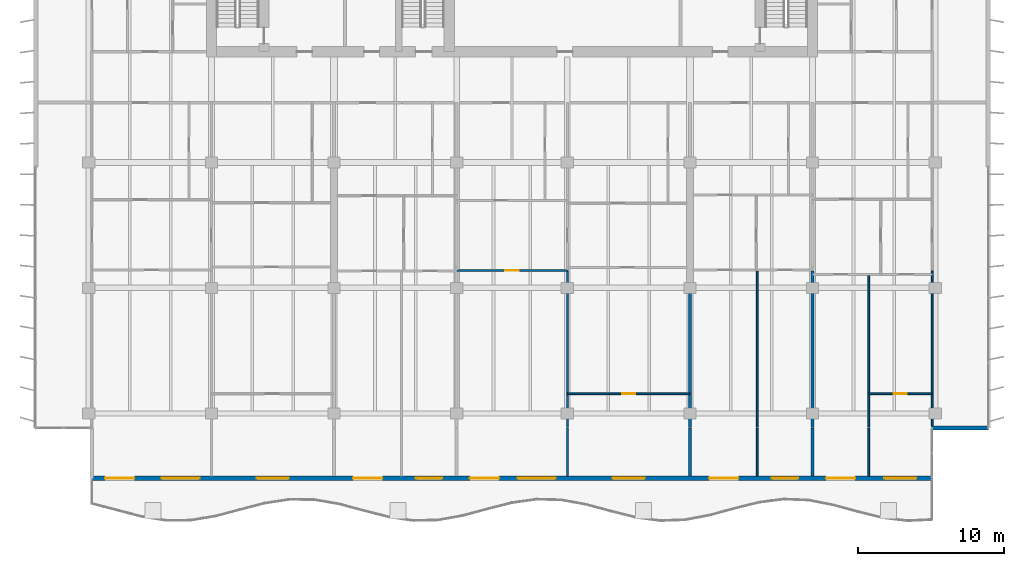
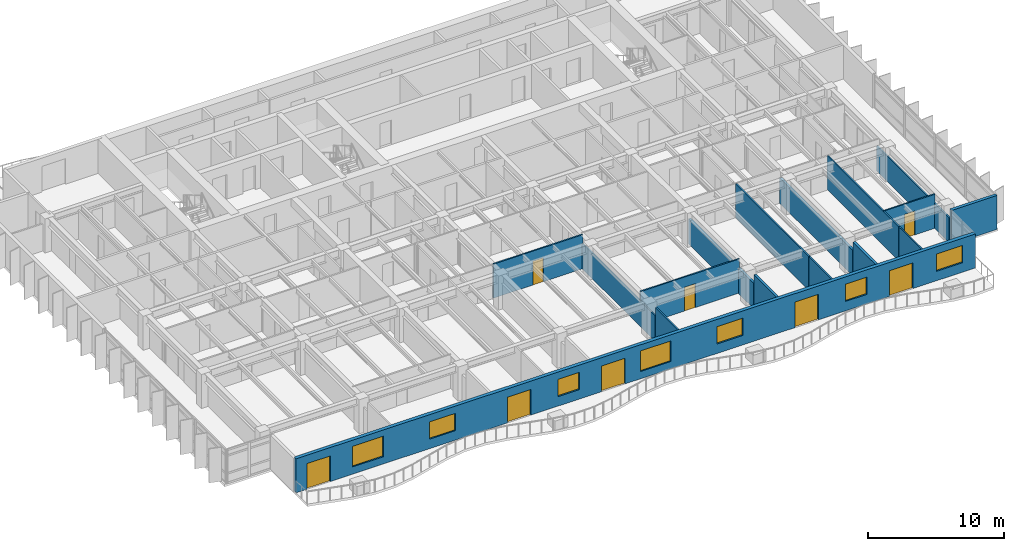
# One storey, part 10 of 19: 16 walls, 8 doors, 7 windows, 15 openings.
"""IFC4 building model written with IfcOpenShell, lengths in metres."""

import ifcopenshell
import ifcopenshell.guid

model = None  # the IFC model being written
_history = None  # IfcOwnerHistory: only IFC2X3 demands one
_inside = {}  # id of a spatial element -> (the spatial element, [elements in it])
_under = {}  # id of a project, library or spatial element -> (it, [spatial elements below it])
_declared = {}  # id of a project -> (the project, [libraries it declares])
_typed = {}  # id of a type object -> (the type object, [elements of that type])
_made_of = {}  # id of a material, layer set ... -> (it, [elements and type objects made of it])


def new_model(schema):
    """Start an empty IFC model of exactly this schema.

    Asked for "IFC4X3", IfcOpenShell would pick the latest addendum, in which some entities
    have other attributes; the version numbers below select the first issue.
    IFC2X3 requires an IfcOwnerHistory on every rooted entity: one is made here for all.
    """
    global model, _history
    if schema == "IFC4X3":
        model = ifcopenshell.file(schema_version=(4, 3, 0, 0))
    else:
        model = ifcopenshell.file(schema=schema)
    _inside.clear()
    _under.clear()
    _declared.clear()
    _typed.clear()
    _made_of.clear()
    _history = None
    if model.schema == "IFC2X3":
        org = make("IfcOrganization", Name="unknown")
        user = make(
            "IfcPersonAndOrganization",
            ThePerson=make("IfcPerson", FamilyName="unknown"),
            TheOrganization=org,
        )
        app = make(
            "IfcApplication",
            ApplicationDeveloper=org,
            Version="unknown",
            ApplicationFullName="unknown",
            ApplicationIdentifier="unknown",
        )
        _history = make(
            "IfcOwnerHistory",
            OwningUser=user,
            OwningApplication=app,
            ChangeAction="ADDED",
            CreationDate=0,
        )
    return model


def make(cls, **values):
    """One entity of the class cls with the attributes given. An attribute that is None is left unset."""
    return model.create_entity(
        cls, **{name: value for name, value in values.items() if value is not None}
    )


def rooted(cls, **values):
    """An entity with a GlobalId (a new one), such as an element, a storey or a relation."""
    return make(cls, GlobalId=ifcopenshell.guid.new(), OwnerHistory=_history, **values)


def si_unit(unit_type, name, prefix=None):
    """IfcSIUnit, for example si_unit("LENGTHUNIT", "METRE", prefix="MILLI")."""
    return make("IfcSIUnit", UnitType=unit_type, Prefix=prefix, Name=name)


def assignment(units):
    """IfcUnitAssignment: the units of a project."""
    return None if units is None else make("IfcUnitAssignment", Units=units)


def point(xyz):
    """IfcCartesianPoint."""
    return None if xyz is None else make("IfcCartesianPoint", Coordinates=xyz)


def direction(xyz):
    """IfcDirection."""
    return None if xyz is None else make("IfcDirection", DirectionRatios=xyz)


def frame(location, z_axis=None, x_axis=None):
    """IfcAxis2Placement3D, a coordinate frame: its origin and axes. An axis left out is left unset."""
    return make(
        "IfcAxis2Placement3D",
        Location=point(location),
        Axis=direction(z_axis),
        RefDirection=direction(x_axis),
    )


def frame_2d(location, x_axis=None):
    """IfcAxis2Placement2D, a coordinate frame in the plane: its origin and x axis."""
    return make(
        "IfcAxis2Placement2D", Location=point(location), RefDirection=direction(x_axis)
    )


def origin():
    """The frame at (0, 0, 0) with its axes left unset."""
    return frame((0.0, 0.0, 0.0))


def place(relative_to, where):
    """IfcLocalPlacement: puts the frame where relative to a parent placement (None: the world)."""
    return make(
        "IfcLocalPlacement", PlacementRelTo=relative_to, RelativePlacement=where
    )


def context(
    kind, dimensions, precision=None, world=None, true_north=None, identifier=None
):
    """IfcGeometricRepresentationContext, for example the 3D "Model" context."""
    return make(
        "IfcGeometricRepresentationContext",
        ContextIdentifier=identifier,
        ContextType=kind,
        CoordinateSpaceDimension=dimensions,
        Precision=precision,
        WorldCoordinateSystem=world,
        TrueNorth=true_north,
    )


def subcontext(parent, identifier, kind, view, scale=None):
    """IfcGeometricRepresentationSubContext, for example "Body" below "Model"."""
    return make(
        "IfcGeometricRepresentationSubContext",
        ContextIdentifier=identifier,
        ContextType=kind,
        ParentContext=parent,
        TargetScale=scale,
        TargetView=view,
    )


def project(units=None, contexts=None):
    """IfcProject with its units and contexts."""
    return rooted(
        "IfcProject",
        Name="project",
        RepresentationContexts=contexts,
        UnitsInContext=assignment(units),
    )


def spatial(cls, under=None, at=None, **own):
    """A site, building, storey or space (cls), placed at a placement, below another one or the project."""
    s = rooted(cls, ObjectPlacement=at, **own)
    if under is not None:
        _under.setdefault(under.id(), (under, []))[1].append(s)
    return s


def profile(cls, at=None, kind="AREA", **sizes):
    """A parametric profile (cls). Its sizes go by their IFC names, for example OverallWidth=200.0."""
    return make(cls, ProfileType=kind, Position=at, **sizes)


def rectangle(**sizes):
    """IfcRectangleProfileDef."""
    return profile("IfcRectangleProfileDef", **sizes)


def extrude(swept, where, along, depth):
    """IfcExtrudedAreaSolid: the profile swept, set in the frame where, extruded along a direction by depth."""
    return make(
        "IfcExtrudedAreaSolid",
        SweptArea=swept,
        Position=where,
        ExtrudedDirection=direction(along),
        Depth=depth,
    )


def shape(context_of_items, identifier, shape_type, items):
    """IfcShapeRepresentation: the items that make up one representation, for example the "Body"."""
    return make(
        "IfcShapeRepresentation",
        ContextOfItems=context_of_items,
        RepresentationIdentifier=identifier,
        RepresentationType=shape_type,
        Items=items,
    )


def material(Name=None, Category=None):
    """IfcMaterial."""
    return make("IfcMaterial", Name=Name, Category=Category)


def layer(
    of_material, thickness, ventilated=None, Name=None, Category=None, Priority=None
):
    """IfcMaterialLayer: one layer of a wall or slab, of a material (None: an air gap)."""
    return make(
        "IfcMaterialLayer",
        Material=of_material,
        LayerThickness=thickness,
        IsVentilated=ventilated,
        Name=Name,
        Category=Category,
        Priority=Priority,
    )


def layer_set(layers, Name=None):
    """IfcMaterialLayerSet."""
    return make("IfcMaterialLayerSet", MaterialLayers=layers, LayerSetName=Name)


def made_of(thing, what):
    """Note that an element or type object is made of a material, layer set ...; save() writes the relation."""
    if what is not None:
        _made_of.setdefault(what.id(), (what, []))[1].append(thing)
    return thing


def type_object(cls, material=None, **own):
    """A type object (cls), such as IfcWallType, which elements share."""
    return made_of(rooted(cls, **own), material)


def element(
    cls,
    number,
    at=None,
    inside=None,
    cuts=None,
    type_object=None,
    material=None,
    context=None,
    identifier="Body",
    shape_type=None,
    held_by="IfcProductDefinitionShape",
    body=None,
    shapes=None,
    **own,
):
    """One element of the class cls, such as IfcWall. Its Tag is "e" and its number.

    at: its placement. inside: the storey or other place that contains it. cuts: it is an
    opening in that element (IfcRelVoidsElement). A single representation is given by context,
    identifier, shape_type and body (its items); several are given by shapes. held_by: the class
    of the entity that holds the representations. save() writes the other relations.
    """
    e = rooted(cls, Tag="e%d" % number, ObjectPlacement=at, **own)
    if body is not None:
        shapes = [shape(context, identifier, shape_type, body)]
    if shapes is not None:
        e.Representation = make(held_by, Representations=shapes)
    if inside is not None:
        _inside.setdefault(inside.id(), (inside, []))[1].append(e)
    if cuts is not None:
        rooted(
            "IfcRelVoidsElement", RelatingBuildingElement=cuts, RelatedOpeningElement=e
        )
    if type_object is not None:
        _typed.setdefault(type_object.id(), (type_object, []))[1].append(e)
    return made_of(e, material)


def fill(opening, filler):
    """IfcRelFillsElement: the door or window that sits in an opening."""
    return rooted(
        "IfcRelFillsElement",
        RelatingOpeningElement=opening,
        RelatedBuildingElement=filler,
    )


def aggregate(whole, parts):
    """IfcRelAggregates: a whole, such as a stair, and the parts it consists of."""
    return rooted("IfcRelAggregates", RelatingObject=whole, RelatedObjects=parts)


def save(model, path):
    """Write the relations noted so far, then the file.

    IfcRelAggregates (storeys below a building ...), IfcRelContainedInSpatialStructure (elements
    in a storey), IfcRelDefinesByType, IfcRelAssociatesMaterial and IfcRelDeclares: one each for
    every whole, place, type object, material and project.
    """
    for whole, parts in _under.values():
        aggregate(whole, parts)
    for where, things in _inside.values():
        rooted(
            "IfcRelContainedInSpatialStructure",
            RelatedElements=things,
            RelatingStructure=where,
        )
    for kind, things in _typed.values():
        rooted("IfcRelDefinesByType", RelatedObjects=things, RelatingType=kind)
    for what, things in _made_of.values():
        rooted("IfcRelAssociatesMaterial", RelatedObjects=things, RelatingMaterial=what)
    for by, libraries in _declared.values():
        rooted("IfcRelDeclares", RelatingContext=by, RelatedDefinitions=libraries)
    model.write(path)


model = new_model("IFC4")

# Units and contexts
model_context = context("Model", 3, precision=1e-05, world=origin(), true_north=direction((0.0, 1.0)))
body_context = subcontext(model_context, "Body", "Model", "MODEL_VIEW")
ifc_project = project(units=[si_unit("LENGTHUNIT", "METRE"), si_unit("AREAUNIT", "SQUARE_METRE"), si_unit("VOLUMEUNIT", "CUBIC_METRE"), si_unit("PLANEANGLEUNIT", "RADIAN"), si_unit("MASSUNIT", "GRAM", prefix="KILO")], contexts=[model_context])

# Site, building, storey
site_placement = place(None, origin())
site = spatial("IfcSite", under=ifc_project, at=site_placement, CompositionType="ELEMENT")
building_placement = place(site_placement, origin())
building = spatial("IfcBuilding", under=site, at=building_placement, Name="Caelmar Bay Residences", CompositionType="ELEMENT")
storey_placement = place(building_placement, frame((0.0, 0.0, 188.39990234375)))
storey = spatial("IfcBuildingStorey", under=building, at=storey_placement, Name="L52", CompositionType="ELEMENT", Elevation=188.39990234375)

# Wall
ifc_material_1 = material(Name="Precast concrete f'c 40 MPa (6,000 psi)", Category="concrete")
ifc_layer_1 = layer(ifc_material_1, 0.25)
ifc_layer_set_1 = layer_set([ifc_layer_1], Name="Precast concrete f'c 40 MPa (6,000 psi)")
wall_type_1 = type_object("IfcWallType", Name="W-EXT-250", PredefinedType="ELEMENTEDWALL", material=ifc_layer_set_1)
wall_1_placement = place(storey_placement, frame((67.699951171875, 11.199951171875, 0.0), z_axis=(0.0, 0.0, 1.0), x_axis=(1.0, 0.0, 0.0)))
element("IfcWall", 1, at=wall_1_placement, inside=storey, type_object=wall_type_1, Name="L52 SE Notch Return Wall", PredefinedType="ELEMENTEDWALL", context=body_context, shape_type="SweptSolid", body=[
    extrude(rectangle(XDim=3.85009765625, YDim=0.25, at=frame_2d((1.925048828125, 0.0))), origin(), (0.0, 0.0, 1.0), 3.050048828125),
])

# Wall, openings, doors, windows
ifc_layer_2 = layer(ifc_material_1, 0.300048828125)
ifc_layer_set_2 = layer_set([ifc_layer_2], Name="Precast concrete f'c 40 MPa (6,000 psi)")
wall_type_2 = type_object("IfcWallType", Name="W-EXT-300", PredefinedType="STANDARD", material=ifc_layer_set_2)
wall_2_placement = place(storey_placement, frame((67.699951171875, 7.75, 0.0), z_axis=(0.0, 0.0, 1.0), x_axis=(-1.0, 0.0, 0.0)))
wall_2 = element("IfcWall", 2, at=wall_2_placement, inside=storey, type_object=wall_type_2, Name="L52 South Bayfront Exterior Wall", PredefinedType="STANDARD", context=body_context, shape_type="SweptSolid", body=[
    extrude(rectangle(XDim=57.599853515625, YDim=0.300048828125, at=frame_2d((28.7998046875, 0.0))), origin(), (0.0, 0.0, 1.0), 3.050048828125),
])
opening_1_placement = place(wall_2_placement, frame((54.68994140625, 0.0, 0.0)))
opening_1 = element("IfcOpeningElement", 3, at=opening_1_placement, cuts=wall_2, Name="Opening L52-BD01", PredefinedType="OPENING", context=body_context, shape_type="SweptSolid", body=[
    extrude(rectangle(XDim=2.0, YDim=2.300048828125, at=frame_2d((1.0, 1.14990234375))), frame((0.0, 0.159912109375, 0.0), z_axis=(0.0, -1.0, 0.0), x_axis=(1.0, 0.0, 0.0)), (0.0, 0.0, 1.0), 0.320068359375),
])
opening_2_placement = place(wall_2_placement, frame((50.2099609375, 0.0, 0.64990234375)))
opening_2 = element("IfcOpeningElement", 4, at=opening_2_placement, cuts=wall_2, Name="Opening WN3", PredefinedType="OPENING", context=body_context, shape_type="SweptSolid", body=[
    extrude(rectangle(XDim=2.60009765625, YDim=1.85009765625, at=frame_2d((1.300048828125, 0.925048828125))), frame((0.0, 0.159912109375, 0.0), z_axis=(0.0, -1.0, 0.0), x_axis=(1.0, 0.0, 0.0)), (0.0, 0.0, 1.0), 0.320068359375),
])
opening_3_placement = place(wall_2_placement, frame((44.10009765625, 0.0, 0.85009765625)))
opening_3 = element("IfcOpeningElement", 5, at=opening_3_placement, cuts=wall_2, Name="Opening WN2", PredefinedType="OPENING", context=body_context, shape_type="SweptSolid", body=[
    extrude(rectangle(XDim=2.199951171875, YDim=1.550048828125, at=frame_2d((1.10009765625, 0.77490234375))), frame((0.0, 0.159912109375, 0.0), z_axis=(0.0, -1.0, 0.0), x_axis=(1.0, 0.0, 0.0)), (0.0, 0.0, 1.0), 0.320068359375),
])
opening_4_placement = place(wall_2_placement, frame((37.68994140625, 0.0, 0.0)))
opening_4 = element("IfcOpeningElement", 6, at=opening_4_placement, cuts=wall_2, Name="Opening L52-BD02", PredefinedType="OPENING", context=body_context, shape_type="SweptSolid", body=[
    extrude(rectangle(XDim=2.0, YDim=2.300048828125, at=frame_2d((1.0, 1.14990234375))), frame((0.0, 0.159912109375, 0.0), z_axis=(0.0, -1.0, 0.0), x_axis=(1.0, 0.0, 0.0)), (0.0, 0.0, 1.0), 0.320068359375),
])
opening_5_placement = place(wall_2_placement, frame((33.590087890625, 0.0, 0.85009765625)))
opening_5 = element("IfcOpeningElement", 7, at=opening_5_placement, cuts=wall_2, Name="Opening WN1", PredefinedType="OPENING", context=body_context, shape_type="SweptSolid", body=[
    extrude(rectangle(XDim=1.800048828125, YDim=1.550048828125, at=frame_2d((0.89990234375, 0.77490234375))), frame((0.0, 0.159912109375, 0.0), z_axis=(0.0, -1.0, 0.0), x_axis=(1.0, 0.0, 0.0)), (0.0, 0.0, 1.0), 0.320068359375),
])
opening_6_placement = place(wall_2_placement, frame((29.68994140625, 0.0, 0.0)))
opening_6 = element("IfcOpeningElement", 8, at=opening_6_placement, cuts=wall_2, Name="Opening L52-BD03", PredefinedType="OPENING", context=body_context, shape_type="SweptSolid", body=[
    extrude(rectangle(XDim=2.0, YDim=2.300048828125, at=frame_2d((1.0, 1.14990234375))), frame((0.0, 0.159912109375, 0.0), z_axis=(0.0, -1.0, 0.0), x_axis=(1.0, 0.0, 0.0)), (0.0, 0.0, 1.0), 0.320068359375),
])
opening_7_placement = place(wall_2_placement, frame((25.81005859375, 0.0, 0.64990234375)))
opening_7 = element("IfcOpeningElement", 9, at=opening_7_placement, cuts=wall_2, Name="Opening WN3", PredefinedType="OPENING", context=body_context, shape_type="SweptSolid", body=[
    extrude(rectangle(XDim=2.60009765625, YDim=1.85009765625, at=frame_2d((1.300048828125, 0.925048828125))), frame((0.0, 0.159912109375, 0.0), z_axis=(0.0, -1.0, 0.0), x_axis=(1.0, 0.0, 0.0)), (0.0, 0.0, 1.0), 0.320068359375),
])
opening_8_placement = place(wall_2_placement, frame((19.699951171875, 0.0, 0.85009765625)))
opening_8 = element("IfcOpeningElement", 10, at=opening_8_placement, cuts=wall_2, Name="Opening WN2", PredefinedType="OPENING", context=body_context, shape_type="SweptSolid", body=[
    extrude(rectangle(XDim=2.199951171875, YDim=1.550048828125, at=frame_2d((1.10009765625, 0.77490234375))), frame((0.0, 0.159912109375, 0.0), z_axis=(0.0, -1.0, 0.0), x_axis=(1.0, 0.0, 0.0)), (0.0, 0.0, 1.0), 0.320068359375),
])
opening_9_placement = place(wall_2_placement, frame((13.2900390625, 0.0, 0.0)))
opening_9 = element("IfcOpeningElement", 11, at=opening_9_placement, cuts=wall_2, Name="Opening L52-BD04", PredefinedType="OPENING", context=body_context, shape_type="SweptSolid", body=[
    extrude(rectangle(XDim=2.0, YDim=2.300048828125, at=frame_2d((1.0, 1.14990234375))), frame((0.0, 0.159912109375, 0.0), z_axis=(0.0, -1.0, 0.0), x_axis=(1.0, 0.0, 0.0)), (0.0, 0.0, 1.0), 0.320068359375),
])
opening_10_placement = place(wall_2_placement, frame((9.18994140625, 0.0, 0.85009765625)))
opening_10 = element("IfcOpeningElement", 12, at=opening_10_placement, cuts=wall_2, Name="Opening WN1", PredefinedType="OPENING", context=body_context, shape_type="SweptSolid", body=[
    extrude(rectangle(XDim=1.800048828125, YDim=1.550048828125, at=frame_2d((0.89990234375, 0.77490234375))), frame((0.0, 0.159912109375, 0.0), z_axis=(0.0, -1.0, 0.0), x_axis=(1.0, 0.0, 0.0)), (0.0, 0.0, 1.0), 0.320068359375),
])
opening_11_placement = place(wall_2_placement, frame((5.27294921875, 0.0, 0.0)))
opening_11 = element("IfcOpeningElement", 13, at=opening_11_placement, cuts=wall_2, Name="Opening L52-BD05", PredefinedType="OPENING", context=body_context, shape_type="SweptSolid", body=[
    extrude(rectangle(XDim=2.0, YDim=2.300048828125, at=frame_2d((1.0, 1.14990234375))), frame((0.0, 0.159912109375, 0.0), z_axis=(0.0, -1.0, 0.0), x_axis=(1.0, 0.0, 0.0)), (0.0, 0.0, 1.0), 0.320068359375),
])
opening_12_placement = place(wall_2_placement, frame((1.072998046875, 0.0, 0.85009765625)))
opening_12 = element("IfcOpeningElement", 14, at=opening_12_placement, cuts=wall_2, Name="Opening WN2", PredefinedType="OPENING", context=body_context, shape_type="SweptSolid", body=[
    extrude(rectangle(XDim=2.199951171875, YDim=1.550048828125, at=frame_2d((1.10009765625, 0.77490234375))), frame((0.0, 0.159912109375, 0.0), z_axis=(0.0, -1.0, 0.0), x_axis=(1.0, 0.0, 0.0)), (0.0, 0.0, 1.0), 0.320068359375),
])
ifc_material_2 = material(Name="Anodised bronze thermally broken sliding glass door", Category="glass")
ifc_layer_3 = layer(ifc_material_2, 0.050048828125)
ifc_layer_set_3 = layer_set([ifc_layer_3], Name="Anodised bronze thermally broken sliding glass door")
door_type_1 = type_object("IfcDoorType", Name="D-BAL-2000", OperationType="DOUBLE_DOOR_SLIDING", PredefinedType="DOOR", material=ifc_layer_set_3)
door_1_placement = place(opening_1_placement, origin())
door_1 = element("IfcDoor", 15, at=door_1_placement, inside=storey, type_object=door_type_1, Name="L52 Residence 01 Penthouse Living Salon Balcony Door", OperationType="DOUBLE_DOOR_SLIDING", OverallHeight=2.300048828125, OverallWidth=2.0, PredefinedType="DOOR", context=body_context, shape_type="SweptSolid", body=[
    extrude(rectangle(XDim=2.0, YDim=2.300048828125, at=frame_2d((1.0, 1.14990234375))), frame((0.0, 0.02490234375, 0.0), z_axis=(0.0, -1.0, 0.0), x_axis=(1.0, 0.0, 0.0)), (0.0, 0.0, 1.0), 0.050048828125),
])
fill(opening_1, door_1)
door_2_placement = place(opening_4_placement, origin())
door_2 = element("IfcDoor", 16, at=door_2_placement, inside=storey, type_object=door_type_1, Name="L52 Residence 02 Living Room Balcony Door", OperationType="DOUBLE_DOOR_SLIDING", OverallHeight=2.300048828125, OverallWidth=2.0, PredefinedType="DOOR", context=body_context, shape_type="SweptSolid", body=[
    extrude(rectangle(XDim=2.0, YDim=2.300048828125, at=frame_2d((1.0, 1.14990234375))), frame((0.0, 0.02490234375, 0.0), z_axis=(0.0, -1.0, 0.0), x_axis=(1.0, 0.0, 0.0)), (0.0, 0.0, 1.0), 0.050048828125),
])
fill(opening_4, door_2)
door_3_placement = place(opening_6_placement, origin())
door_3 = element("IfcDoor", 17, at=door_3_placement, inside=storey, type_object=door_type_1, Name="L52 Residence 03 Penthouse Living Salon Balcony Door", OperationType="DOUBLE_DOOR_SLIDING", OverallHeight=2.300048828125, OverallWidth=2.0, PredefinedType="DOOR", context=body_context, shape_type="SweptSolid", body=[
    extrude(rectangle(XDim=2.0, YDim=2.300048828125, at=frame_2d((1.0, 1.14990234375))), frame((0.0, 0.02490234375, 0.0), z_axis=(0.0, -1.0, 0.0), x_axis=(1.0, 0.0, 0.0)), (0.0, 0.0, 1.0), 0.050048828125),
])
fill(opening_6, door_3)
door_4_placement = place(opening_9_placement, origin())
door_4 = element("IfcDoor", 18, at=door_4_placement, inside=storey, type_object=door_type_1, Name="L52 Residence 04 Living Room Balcony Door", OperationType="DOUBLE_DOOR_SLIDING", OverallHeight=2.300048828125, OverallWidth=2.0, PredefinedType="DOOR", context=body_context, shape_type="SweptSolid", body=[
    extrude(rectangle(XDim=2.0, YDim=2.300048828125, at=frame_2d((1.0, 1.14990234375))), frame((0.0, 0.02490234375, 0.0), z_axis=(0.0, -1.0, 0.0), x_axis=(1.0, 0.0, 0.0)), (0.0, 0.0, 1.0), 0.050048828125),
])
fill(opening_9, door_4)
door_5_placement = place(opening_11_placement, origin())
door_5 = element("IfcDoor", 19, at=door_5_placement, inside=storey, type_object=door_type_1, Name="L52 Residence 05 Living Room Balcony Door", OperationType="DOUBLE_DOOR_SLIDING", OverallHeight=2.300048828125, OverallWidth=2.0, PredefinedType="DOOR", context=body_context, shape_type="SweptSolid", body=[
    extrude(rectangle(XDim=2.0, YDim=2.300048828125, at=frame_2d((1.0, 1.14990234375))), frame((0.0, 0.02490234375, 0.0), z_axis=(0.0, -1.0, 0.0), x_axis=(1.0, 0.0, 0.0)), (0.0, 0.0, 1.0), 0.050048828125),
])
fill(opening_11, door_5)
ifc_material_3 = material(Name="Bronze aluminium frame with laminated low-E glass", Category="aluminium")
ifc_layer_4 = layer(ifc_material_3, 0.06005859375)
ifc_layer_set_4 = layer_set([ifc_layer_4], Name="Bronze aluminium frame with laminated low-E glass")
window_type_1 = type_object("IfcWindowType", Name="WIN-BR-1800", PartitioningType="SINGLE_PANEL", PredefinedType="WINDOW", material=ifc_layer_set_4)
window_1_placement = place(opening_5_placement, origin())
window_1 = element("IfcWindow", 20, at=window_1_placement, inside=storey, type_object=window_type_1, Name="L52 Residence 02 Primary Bedroom Window", OverallHeight=1.550048828125, OverallWidth=1.800048828125, PartitioningType="SINGLE_PANEL", PredefinedType="WINDOW", context=body_context, shape_type="SweptSolid", body=[
    extrude(rectangle(XDim=1.800048828125, YDim=1.550048828125, at=frame_2d((0.89990234375, 0.77490234375))), frame((0.0, 0.030029296875, 0.0), z_axis=(0.0, -1.0, 0.0), x_axis=(1.0, 0.0, 0.0)), (0.0, 0.0, 1.0), 0.06005859375),
])
fill(opening_5, window_1)
window_2_placement = place(opening_10_placement, origin())
window_2 = element("IfcWindow", 21, at=window_2_placement, inside=storey, type_object=window_type_1, Name="L52 Residence 04 Primary Bedroom Window", OverallHeight=1.550048828125, OverallWidth=1.800048828125, PartitioningType="SINGLE_PANEL", PredefinedType="WINDOW", context=body_context, shape_type="SweptSolid", body=[
    extrude(rectangle(XDim=1.800048828125, YDim=1.550048828125, at=frame_2d((0.89990234375, 0.77490234375))), frame((0.0, 0.030029296875, 0.0), z_axis=(0.0, -1.0, 0.0), x_axis=(1.0, 0.0, 0.0)), (0.0, 0.0, 1.0), 0.06005859375),
])
fill(opening_10, window_2)
ifc_layer_5 = layer(ifc_material_3, 0.06005859375)
ifc_layer_set_5 = layer_set([ifc_layer_5], Name="Bronze aluminium frame with laminated low-E glass")
window_type_2 = type_object("IfcWindowType", Name="WIN-BR-2200", PartitioningType="SINGLE_PANEL", PredefinedType="WINDOW", material=ifc_layer_set_5)
window_3_placement = place(opening_3_placement, origin())
window_3 = element("IfcWindow", 22, at=window_3_placement, inside=storey, type_object=window_type_2, Name="L52 Residence 01 Primary Bedroom 1 Window", OverallHeight=1.550048828125, OverallWidth=2.199951171875, PartitioningType="SINGLE_PANEL", PredefinedType="WINDOW", context=body_context, shape_type="SweptSolid", body=[
    extrude(rectangle(XDim=2.199951171875, YDim=1.550048828125, at=frame_2d((1.10009765625, 0.77490234375))), frame((0.0, 0.030029296875, 0.0), z_axis=(0.0, -1.0, 0.0), x_axis=(1.0, 0.0, 0.0)), (0.0, 0.0, 1.0), 0.06005859375),
])
fill(opening_3, window_3)
window_4_placement = place(opening_8_placement, origin())
window_4 = element("IfcWindow", 23, at=window_4_placement, inside=storey, type_object=window_type_2, Name="L52 Residence 03 Primary Bedroom 1 Window", OverallHeight=1.550048828125, OverallWidth=2.199951171875, PartitioningType="SINGLE_PANEL", PredefinedType="WINDOW", context=body_context, shape_type="SweptSolid", body=[
    extrude(rectangle(XDim=2.199951171875, YDim=1.550048828125, at=frame_2d((1.10009765625, 0.77490234375))), frame((0.0, 0.030029296875, 0.0), z_axis=(0.0, -1.0, 0.0), x_axis=(1.0, 0.0, 0.0)), (0.0, 0.0, 1.0), 0.06005859375),
])
fill(opening_8, window_4)
window_5_placement = place(opening_12_placement, origin())
window_5 = element("IfcWindow", 24, at=window_5_placement, inside=storey, type_object=window_type_2, Name="L52 Residence 05 Primary Bedroom Window", OverallHeight=1.550048828125, OverallWidth=2.199951171875, PartitioningType="SINGLE_PANEL", PredefinedType="WINDOW", context=body_context, shape_type="SweptSolid", body=[
    extrude(rectangle(XDim=2.199951171875, YDim=1.550048828125, at=frame_2d((1.10009765625, 0.77490234375))), frame((0.0, 0.030029296875, 0.0), z_axis=(0.0, -1.0, 0.0), x_axis=(1.0, 0.0, 0.0)), (0.0, 0.0, 1.0), 0.06005859375),
])
fill(opening_12, window_5)
ifc_layer_6 = layer(ifc_material_3, 0.06005859375)
ifc_layer_set_6 = layer_set([ifc_layer_6], Name="Bronze aluminium frame with laminated low-E glass")
window_type_3 = type_object("IfcWindowType", Name="WIN-LIV-2600", PartitioningType="SINGLE_PANEL", PredefinedType="WINDOW", material=ifc_layer_set_6)
window_6_placement = place(opening_2_placement, origin())
window_6 = element("IfcWindow", 25, at=window_6_placement, inside=storey, type_object=window_type_3, Name="L52 Residence 01 Penthouse Living Salon Panoramic Window", OverallHeight=1.85009765625, OverallWidth=2.60009765625, PartitioningType="SINGLE_PANEL", PredefinedType="WINDOW", context=body_context, shape_type="SweptSolid", body=[
    extrude(rectangle(XDim=2.60009765625, YDim=1.85009765625, at=frame_2d((1.300048828125, 0.925048828125))), frame((0.0, 0.030029296875, 0.0), z_axis=(0.0, -1.0, 0.0), x_axis=(1.0, 0.0, 0.0)), (0.0, 0.0, 1.0), 0.06005859375),
])
fill(opening_2, window_6)
window_7_placement = place(opening_7_placement, origin())
window_7 = element("IfcWindow", 26, at=window_7_placement, inside=storey, type_object=window_type_3, Name="L52 Residence 03 Penthouse Living Salon Panoramic Window", OverallHeight=1.85009765625, OverallWidth=2.60009765625, PartitioningType="SINGLE_PANEL", PredefinedType="WINDOW", context=body_context, shape_type="SweptSolid", body=[
    extrude(rectangle(XDim=2.60009765625, YDim=1.85009765625, at=frame_2d((1.300048828125, 0.925048828125))), frame((0.0, 0.030029296875, 0.0), z_axis=(0.0, -1.0, 0.0), x_axis=(1.0, 0.0, 0.0)), (0.0, 0.0, 1.0), 0.06005859375),
])
fill(opening_7, window_7)

# Walls
ifc_material_4 = material(Name="Acoustic metal-stud gypsum partition 120 mm")
ifc_layer_7 = layer(ifc_material_4, 0.1201171875)
ifc_layer_set_7 = layer_set([ifc_layer_7], Name="Acoustic metal-stud gypsum partition 120 mm")
wall_type_3 = type_object("IfcWallType", Name="W-PRT-120", PredefinedType="PARTITIONING", material=ifc_layer_set_7)
wall_3_placement = place(storey_placement, frame((42.699951171875, 7.89501953125, 0.0), z_axis=(0.0, 0.0, 1.0), x_axis=(0.0, 1.0, 0.0)))
element("IfcWall", 27, at=wall_3_placement, inside=storey, type_object=wall_type_3, Name="L52 Partition Wall V051", PredefinedType="PARTITIONING", context=body_context, shape_type="SweptSolid", body=[
    extrude(rectangle(XDim=3.304931640625, YDim=0.1201171875, at=frame_2d((1.65234375, 0.0))), origin(), (0.0, 0.0, 1.0), 3.050048828125),
])
wall_4_placement = place(storey_placement, frame((42.699951171875, 11.239990234375, 0.0), z_axis=(0.0, 0.0, 1.0), x_axis=(0.0, 1.0, 0.0)))
element("IfcWall", 28, at=wall_4_placement, inside=storey, type_object=wall_type_3, Name="L52 Partition Wall V052", PredefinedType="PARTITIONING", context=body_context, shape_type="SweptSolid", body=[
    extrude(rectangle(XDim=10.72998046875, YDim=0.1201171875, at=frame_2d((5.364990234375, 0.0))), origin(), (0.0, 0.0, 1.0), 2.26318359375),
])
wall_5_placement = place(storey_placement, frame((55.719970703125, 7.89501953125, 0.0), z_axis=(0.0, 0.0, 1.0), x_axis=(0.0, 1.0, 0.0)))
element("IfcWall", 29, at=wall_5_placement, inside=storey, type_object=wall_type_3, Name="L52 Partition Wall V074", PredefinedType="PARTITIONING", context=body_context, shape_type="SweptSolid", body=[
    extrude(rectangle(XDim=3.304931640625, YDim=0.1201171875, at=frame_2d((1.65234375, 0.0))), origin(), (0.0, 0.0, 1.0), 3.050048828125),
])
wall_6_placement = place(storey_placement, frame((55.719970703125, 11.239990234375, 0.0), z_axis=(0.0, 0.0, 1.0), x_axis=(0.0, 1.0, 0.0)))
element("IfcWall", 30, at=wall_6_placement, inside=storey, type_object=wall_type_3, Name="L52 Partition Wall V075", PredefinedType="PARTITIONING", context=body_context, shape_type="SweptSolid", body=[
    extrude(rectangle(XDim=10.72998046875, YDim=0.1201171875, at=frame_2d((5.364990234375, 0.0))), origin(), (0.0, 0.0, 1.0), 3.050048828125),
])
wall_7_placement = place(storey_placement, frame((63.35400390625, 7.89501953125, 0.0), z_axis=(0.0, 0.0, 1.0), x_axis=(0.0, 1.0, 0.0)))
element("IfcWall", 31, at=wall_7_placement, inside=storey, type_object=wall_type_3, Name="L52 Partition Wall V086", PredefinedType="PARTITIONING", context=body_context, shape_type="SweptSolid", body=[
    extrude(rectangle(XDim=3.304931640625, YDim=0.1201171875, at=frame_2d((1.65234375, 0.0))), origin(), (0.0, 0.0, 1.0), 3.050048828125),
])
wall_8_placement = place(storey_placement, frame((63.35400390625, 11.239990234375, 0.0), z_axis=(0.0, 0.0, 1.0), x_axis=(0.0, 1.0, 0.0)))
element("IfcWall", 32, at=wall_8_placement, inside=storey, type_object=wall_type_3, Name="L52 Partition Wall V087", PredefinedType="PARTITIONING", context=body_context, shape_type="SweptSolid", body=[
    extrude(rectangle(XDim=10.489990234375, YDim=0.1201171875, at=frame_2d((5.2451171875, 0.0))), origin(), (0.0, 0.0, 1.0), 3.050048828125),
])
wall_9_placement = place(storey_placement, frame((67.699951171875, 11.320068359375, 0.0), z_axis=(0.0, 0.0, 1.0), x_axis=(0.0, 1.0, 0.0)))
element("IfcWall", 33, at=wall_9_placement, inside=storey, type_object=wall_type_3, Name="L52 Partition Wall V095", PredefinedType="PARTITIONING", context=body_context, shape_type="SweptSolid", body=[
    extrude(rectangle(XDim=10.64990234375, YDim=0.1201171875, at=frame_2d((5.324951171875, 0.0))), origin(), (0.0, 0.0, 1.0), 2.26318359375),
])

# Wall, opening, door
wall_10_placement = place(storey_placement, frame((42.699951171875, 13.550048828125, 0.0), z_axis=(0.0, 0.0, 1.0), x_axis=(1.0, 0.0, 0.0)))
wall_10 = element("IfcWall", 34, at=wall_10_placement, inside=storey, type_object=wall_type_3, Name="L52 Partition Wall H105", PredefinedType="PARTITIONING", context=body_context, shape_type="SweptSolid", body=[
    extrude(rectangle(XDim=8.400146484375, YDim=0.1201171875, at=frame_2d((4.2001953125, 0.0))), origin(), (0.0, 0.0, 1.0), 3.050048828125),
])
opening_13_placement = place(wall_10_placement, frame((3.75, 0.0, 0.0)))
opening_13 = element("IfcOpeningElement", 35, at=opening_13_placement, cuts=wall_10, Name="Opening D-L52-147", PredefinedType="OPENING", context=body_context, shape_type="SweptSolid", body=[
    extrude(rectangle(XDim=0.89990234375, YDim=2.14990234375, at=frame_2d((0.449951171875, 1.074951171875))), frame((0.0, 0.070068359375, 0.0), z_axis=(0.0, -1.0, 0.0), x_axis=(1.0, 0.0, 0.0)), (0.0, 0.0, 1.0), 0.14013671875),
])
ifc_material_5 = material(Name="Solid walnut timber interior door leaf and frame", Category="wood")
ifc_layer_8 = layer(ifc_material_5, 0.050048828125)
ifc_layer_set_8 = layer_set([ifc_layer_8], Name="Solid walnut timber interior door leaf and frame")
door_type_2 = type_object("IfcDoorType", Name="D-ROOM-900", OperationType="NOTDEFINED", PredefinedType="DOOR", material=ifc_layer_set_8)
door_6_placement = place(opening_13_placement, origin())
door_6 = element("IfcDoor", 36, at=door_6_placement, inside=storey, type_object=door_type_2, Name="L52 Residence 03 Primary Bedroom 1 Door", OperationType="SINGLE_SWING_LEFT", OverallHeight=2.14990234375, OverallWidth=0.89990234375, PredefinedType="DOOR", context=body_context, shape_type="SweptSolid", body=[
    extrude(rectangle(XDim=0.89990234375, YDim=2.14990234375, at=frame_2d((0.449951171875, 1.074951171875))), frame((0.0, 0.02490234375, 0.0), z_axis=(0.0, -1.0, 0.0), x_axis=(1.0, 0.0, 0.0)), (0.0, 0.0, 1.0), 0.050048828125),
])
fill(opening_13, door_6)

wall_11_placement = place(storey_placement, frame((63.35400390625, 13.550048828125, 0.0), z_axis=(0.0, 0.0, 1.0), x_axis=(1.0, 0.0, 0.0)))
wall_11 = element("IfcWall", 37, at=wall_11_placement, inside=storey, type_object=wall_type_3, Name="L52 Partition Wall H106", PredefinedType="PARTITIONING", context=body_context, shape_type="SweptSolid", body=[
    extrude(rectangle(XDim=4.345947265625, YDim=0.1201171875, at=frame_2d((2.1728515625, 0.0))), origin(), (0.0, 0.0, 1.0), 3.050048828125),
])
opening_14_placement = place(wall_11_placement, frame((1.722900390625, 0.0, 0.0)))
opening_14 = element("IfcOpeningElement", 38, at=opening_14_placement, cuts=wall_11, Name="Opening D-L52-160", PredefinedType="OPENING", context=body_context, shape_type="SweptSolid", body=[
    extrude(rectangle(XDim=0.89990234375, YDim=2.14990234375, at=frame_2d((0.449951171875, 1.074951171875))), frame((0.0, 0.070068359375, 0.0), z_axis=(0.0, -1.0, 0.0), x_axis=(1.0, 0.0, 0.0)), (0.0, 0.0, 1.0), 0.14013671875),
])
door_7_placement = place(opening_14_placement, origin())
door_7 = element("IfcDoor", 39, at=door_7_placement, inside=storey, type_object=door_type_2, Name="L52 Residence 05 Primary Bedroom Door", OperationType="SINGLE_SWING_RIGHT", OverallHeight=2.14990234375, OverallWidth=0.89990234375, PredefinedType="DOOR", context=body_context, shape_type="SweptSolid", body=[
    extrude(rectangle(XDim=0.89990234375, YDim=2.14990234375, at=frame_2d((0.449951171875, 1.074951171875))), frame((0.0, 0.02490234375, 0.0), z_axis=(0.0, -1.0, 0.0), x_axis=(1.0, 0.0, 0.0)), (0.0, 0.0, 1.0), 0.050048828125),
])
fill(opening_14, door_7)

wall_12_placement = place(storey_placement, frame((35.10498046875, 22.0, 0.0), z_axis=(0.0, 0.0, 1.0), x_axis=(1.0, 0.0, 0.0)))
wall_12 = element("IfcWall", 40, at=wall_12_placement, inside=storey, type_object=wall_type_3, Name="L52 Partition Wall H110", PredefinedType="PARTITIONING", context=body_context, shape_type="SweptSolid", body=[
    extrude(rectangle(XDim=7.594970703125, YDim=0.1201171875, at=frame_2d((3.79736328125, 0.0))), origin(), (0.0, 0.0, 1.0), 3.050048828125),
])
opening_15_placement = place(wall_12_placement, frame((3.347412109375, 0.0, 0.0)))
opening_15 = element("IfcOpeningElement", 41, at=opening_15_placement, cuts=wall_12, Name="Opening D-L52-142", PredefinedType="OPENING", context=body_context, shape_type="SweptSolid", body=[
    extrude(rectangle(XDim=0.89990234375, YDim=2.14990234375, at=frame_2d((0.449951171875, 1.074951171875))), frame((0.0, 0.070068359375, 0.0), z_axis=(0.0, -1.0, 0.0), x_axis=(1.0, 0.0, 0.0)), (0.0, 0.0, 1.0), 0.14013671875),
])
door_8_placement = place(opening_15_placement, origin())
door_8 = element("IfcDoor", 42, at=door_8_placement, inside=storey, type_object=door_type_2, Name="L52 Residence 03 Penthouse Living Salon Door", OperationType="SINGLE_SWING_RIGHT", OverallHeight=2.14990234375, OverallWidth=0.89990234375, PredefinedType="DOOR", context=body_context, shape_type="SweptSolid", body=[
    extrude(rectangle(XDim=0.89990234375, YDim=2.14990234375, at=frame_2d((0.449951171875, 1.074951171875))), frame((0.0, 0.02490234375, 0.0), z_axis=(0.0, -1.0, 0.0), x_axis=(1.0, 0.0, 0.0)), (0.0, 0.0, 1.0), 0.050048828125),
])
fill(opening_15, door_8)

# Walls
ifc_material_6 = material(Name="Acoustic twin-stud fire-rated inter-tenancy partition 200 mm")
ifc_layer_9 = layer(ifc_material_6, 0.199951171875)
ifc_layer_set_9 = layer_set([ifc_layer_9], Name="Acoustic twin-stud fire-rated inter-tenancy partition 200 mm")
wall_type_4 = type_object("IfcWallType", Name="W-PTY-200", PredefinedType="PARTITIONING", material=ifc_layer_set_9)
wall_13_placement = place(storey_placement, frame((51.10009765625, 7.89501953125, 0.0), z_axis=(0.0, 0.0, 1.0), x_axis=(0.0, 1.0, 0.0)))
element("IfcWall", 43, at=wall_13_placement, inside=storey, type_object=wall_type_4, Name="L52 Partition Wall V065", PredefinedType="PARTITIONING", context=body_context, shape_type="SweptSolid", body=[
    extrude(rectangle(XDim=3.304931640625, YDim=0.199951171875, at=frame_2d((1.65234375, 0.0))), origin(), (0.0, 0.0, 1.0), 3.050048828125),
])
wall_14_placement = place(storey_placement, frame((51.10009765625, 11.239990234375, 0.0), z_axis=(0.0, 0.0, 1.0), x_axis=(0.0, 1.0, 0.0)))
element("IfcWall", 44, at=wall_14_placement, inside=storey, type_object=wall_type_4, Name="L52 Partition Wall V066", PredefinedType="PARTITIONING", context=body_context, shape_type="SweptSolid", body=[
    extrude(rectangle(XDim=9.554931640625, YDim=0.199951171875, at=frame_2d((4.77734375, 0.0))), origin(), (0.0, 0.0, 1.0), 2.26318359375),
])
wall_15_placement = place(storey_placement, frame((59.5, 7.89501953125, 0.0), z_axis=(0.0, 0.0, 1.0), x_axis=(0.0, 1.0, 0.0)))
element("IfcWall", 45, at=wall_15_placement, inside=storey, type_object=wall_type_4, Name="L52 Partition Wall V078", PredefinedType="PARTITIONING", context=body_context, shape_type="SweptSolid", body=[
    extrude(rectangle(XDim=3.304931640625, YDim=0.199951171875, at=frame_2d((1.65234375, 0.0))), origin(), (0.0, 0.0, 1.0), 3.050048828125),
])
wall_16_placement = place(storey_placement, frame((59.5, 11.239990234375, 0.0), z_axis=(0.0, 0.0, 1.0), x_axis=(0.0, 1.0, 0.0)))
element("IfcWall", 46, at=wall_16_placement, inside=storey, type_object=wall_type_4, Name="L52 Partition Wall V079", PredefinedType="PARTITIONING", context=body_context, shape_type="SweptSolid", body=[
    extrude(rectangle(XDim=10.72998046875, YDim=0.199951171875, at=frame_2d((5.364990234375, 0.0))), origin(), (0.0, 0.0, 1.0), 2.26318359375),
])

save(model, "model.ifc")
